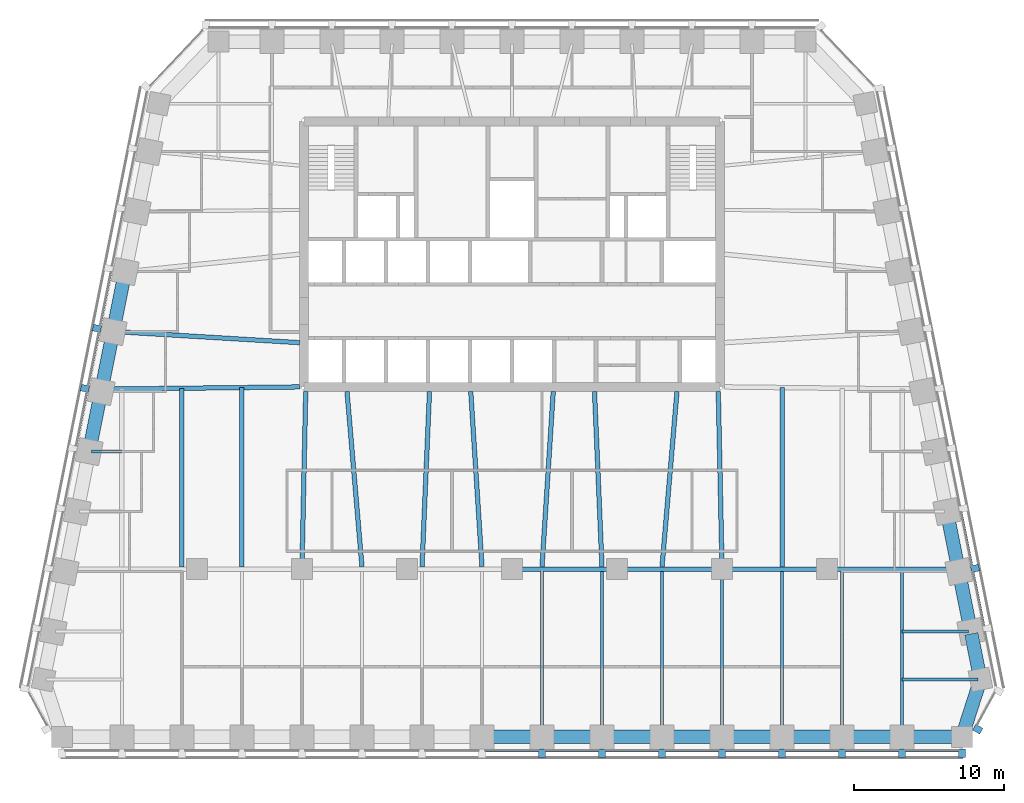
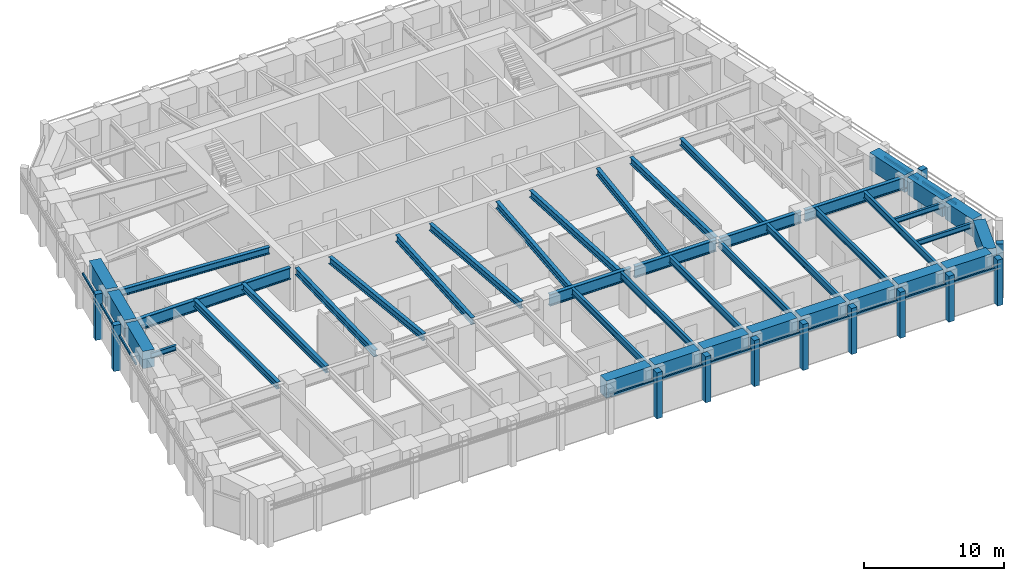
# One storey, part 2 of 11: 42 beams, 25 members, 4 elements without a shape of their own.
"""IFC4 building model written with IfcOpenShell, lengths in metres."""

from ifc_helpers import new_model, si_unit, direction, frame, origin, origin_2d, place, context, subcontext, project, spatial, rectangle, i_section, extrude, material, material_profile, profile_set, type_object, element, aggregate, save


model = new_model("IFC4")

# Units and contexts
model_context = context("Model", 3, precision=1e-05, world=origin(), true_north=direction((0.0, 1.0)))
body_context = subcontext(model_context, "Body", "Model", "MODEL_VIEW")
ifc_project = project(units=[si_unit("LENGTHUNIT", "METRE"), si_unit("AREAUNIT", "SQUARE_METRE"), si_unit("VOLUMEUNIT", "CUBIC_METRE"), si_unit("PLANEANGLEUNIT", "RADIAN"), si_unit("MASSUNIT", "GRAM", prefix="KILO")], contexts=[model_context])

# Site, building, storey
site_placement = place(None, origin())
site = spatial("IfcSite", under=ifc_project, at=site_placement, CompositionType="ELEMENT")
building_placement = place(site_placement, origin())
building = spatial("IfcBuilding", under=site, at=building_placement, Name="Isbrekke Arena Tower", CompositionType="ELEMENT")
storey_placement = place(building_placement, frame((0.0, 0.0, 202.0)))
storey = spatial("IfcBuildingStorey", under=building, at=storey_placement, Name="L46", CompositionType="ELEMENT", Elevation=202.0)

# Beams
ifc_material_1 = material(Name="Steel S355", Category="steel")
ifc_material_profile_1 = material_profile(ifc_material_1, i_section(OverallWidth=0.219970703125, OverallDepth=0.60009765625, WebThickness=0.011962890625, FlangeThickness=0.01904296875, FilletRadius=0.02392578125, at=origin_2d()), Name="IPE 600")
ifc_profile_set_1 = profile_set([ifc_material_profile_1], Name="Steel S355")
beam_type_1 = type_object("IfcBeamType", Name="B1 IPE 600", PredefinedType="BEAM", material=ifc_profile_set_1)
for number, where, z_axis, x_axis, name in (
    (1, (2.0, -17.02490234375, 3.550048828125), (0.0, 1.0, 0.0), (-1.0, 0.0, 0.0), "B1 beam S-S09 L46"),
    (2, (6.0, -17.02490234375, 3.550048828125), (0.0, 1.0, 0.0), (-1.0, 0.0, 0.0), "B1 beam S-S10 L46"),
    (3, (10.0, -17.02490234375, 3.550048828125), (0.0, 1.0, 0.0), (-1.0, 0.0, 0.0), "B1 beam S-S11 L46"),
):
    element("IfcBeam", number, at=place(storey_placement, frame(where, z_axis=z_axis, x_axis=x_axis)), inside=storey, type_object=beam_type_1, Name=name, PredefinedType="BEAM", context=body_context, shape_type="SweptSolid", body=[
        extrude(i_section(OverallWidth=0.219970703125, OverallDepth=0.60009765625, WebThickness=0.011962890625, FlangeThickness=0.01904296875, FilletRadius=0.02392578125, at=origin_2d()), origin(), (0.0, 0.0, 1.0), 10.8740234375),
    ])
beam_1_placement = place(storey_placement, frame((14.0, -17.02490234375, 3.550048828125), z_axis=(0.0, 1.0, 0.0), x_axis=(-1.0, 0.0, 0.0)))
element("IfcBeam", 4, at=beam_1_placement, inside=storey, type_object=beam_type_1, Name="B1 beam S-S12 L46", PredefinedType="BEAM", context=body_context, shape_type="SweptSolid", body=[
    extrude(i_section(OverallWidth=0.219970703125, OverallDepth=0.60009765625, WebThickness=0.011962890625, FlangeThickness=0.01904296875, FilletRadius=0.02392578125, at=origin_2d()), origin(), (0.0, 0.0, 1.0), 10.875),
])
for number, where, z_axis, x_axis, name in (
    (5, (18.0, -17.02490234375, 3.550048828125), (0.0, 1.0, 0.0), (-1.0, 0.0, 0.0), "B1 beam S-S13 L46"),
    (6, (22.0, -17.02490234375, 3.550048828125), (0.0, 1.0, 0.0), (-1.0, 0.0, 0.0), "B1 beam S-S14 L46"),
    (7, (26.0, -17.02490234375, 3.550048828125), (0.0, 1.0, 0.0), (-1.0, 0.0, 0.0), "B1 beam S-S15 L46"),
):
    element("IfcBeam", number, at=place(storey_placement, frame(where, z_axis=z_axis, x_axis=x_axis)), inside=storey, type_object=beam_type_1, Name=name, PredefinedType="BEAM", context=body_context, shape_type="SweptSolid", body=[
        extrude(i_section(OverallWidth=0.219970703125, OverallDepth=0.60009765625, WebThickness=0.011962890625, FlangeThickness=0.01904296875, FilletRadius=0.02392578125, at=origin_2d()), origin(), (0.0, 0.0, 1.0), 10.8740234375),
    ])
ifc_material_2 = material(Name="Steel S355", Category="steel")
ifc_material_profile_2 = material_profile(ifc_material_2, i_section(OverallWidth=0.18994140625, OverallDepth=0.449951171875, WebThickness=0.009521484375, FlangeThickness=0.0146484375, FilletRadius=0.02099609375, at=origin_2d()), Name="IPE 450")
ifc_profile_set_2 = profile_set([ifc_material_profile_2], Name="Steel S355")
beam_type_2 = type_object("IfcBeamType", Name="B2 IPE 450", PredefinedType="BEAM", material=ifc_profile_set_2)
beam_2_placement = place(storey_placement, frame((31.079345703125, -13.352783203125, 3.625), z_axis=(-1.0, 0.0, 0.0), x_axis=(0.0, -1.0, 0.0)))
element("IfcBeam", 8, at=beam_2_placement, inside=storey, type_object=beam_type_2, Name="B2 beam E-E01 L46", PredefinedType="BEAM", context=body_context, shape_type="SweptSolid", body=[
    extrude(i_section(OverallWidth=0.18994140625, OverallDepth=0.449951171875, WebThickness=0.009521484375, FlangeThickness=0.0146484375, FilletRadius=0.02099609375, at=origin_2d()), origin(), (0.0, 0.0, 1.0), 5.079345703125),
])
beam_3_placement = place(storey_placement, frame((30.44091796875, -10.161865234375, 3.625), z_axis=(-1.0, 0.0, 0.0), x_axis=(0.0, -1.0, 0.0)))
element("IfcBeam", 9, at=beam_3_placement, inside=storey, type_object=beam_type_2, Name="B2 beam E-E02 L46", PredefinedType="BEAM", context=body_context, shape_type="SweptSolid", body=[
    extrude(i_section(OverallWidth=0.18994140625, OverallDepth=0.449951171875, WebThickness=0.009521484375, FlangeThickness=0.0146484375, FilletRadius=0.02099609375, at=origin_2d()), origin(), (0.0, 0.0, 1.0), 4.44091796875),
])
beam_4_placement = place(storey_placement, frame((-28.041015625, 1.838134765625, 3.625), z_axis=(1.0, 0.0, 0.0), x_axis=(0.0, 1.0, 0.0)))
element("IfcBeam", 10, at=beam_4_placement, inside=storey, type_object=beam_type_2, Name="B2 beam E-W07 L46", PredefinedType="BEAM", context=body_context, shape_type="SweptSolid", body=[
    extrude(i_section(OverallWidth=0.18994140625, OverallDepth=0.449951171875, WebThickness=0.009521484375, FlangeThickness=0.0146484375, FilletRadius=0.02099609375, at=origin_2d()), origin(), (0.0, 0.0, 1.0), 2.041015625),
])
ifc_material_3 = material(Name="Steel S355", Category="steel")
ifc_material_profile_3 = material_profile(ifc_material_3, i_section(OverallWidth=0.300048828125, OverallDepth=0.60009765625, WebThickness=0.015380859375, FlangeThickness=0.030029296875, FilletRadius=0.027099609375, at=origin_2d()), Name="HEB 600")
ifc_profile_set_3 = profile_set([ifc_material_profile_3], Name="Steel S355")
beam_type_3 = type_object("IfcBeamType", Name="B7 HEB 600", PredefinedType="BEAM", material=ifc_profile_set_3)
beam_5_placement = place(storey_placement, frame((-22.0, -5.84912109375, 3.550048828125), z_axis=(0.0, 1.0, 0.0), x_axis=(-1.0, 0.0, 0.0)))
element("IfcBeam", 11, at=beam_5_placement, inside=storey, type_object=beam_type_3, Name="B7 beam C-M02 L46", PredefinedType="BEAM", context=body_context, shape_type="SweptSolid", body=[
    extrude(i_section(OverallWidth=0.300048828125, OverallDepth=0.60009765625, WebThickness=0.015380859375, FlangeThickness=0.030029296875, FilletRadius=0.027099609375, at=origin_2d()), origin(), (0.0, 0.0, 1.0), 11.91015625),
])
beam_6_placement = place(storey_placement, frame((-18.0, -5.84912109375, 3.550048828125), z_axis=(0.0, 1.0, 0.0), x_axis=(-1.0, 0.0, 0.0)))
element("IfcBeam", 12, at=beam_6_placement, inside=storey, type_object=beam_type_3, Name="B7 beam C-M03 L46", PredefinedType="BEAM", context=body_context, shape_type="SweptSolid", body=[
    extrude(i_section(OverallWidth=0.300048828125, OverallDepth=0.60009765625, WebThickness=0.015380859375, FlangeThickness=0.030029296875, FilletRadius=0.027099609375, at=origin_2d()), origin(), (0.0, 0.0, 1.0), 11.95556640625),
])
beam_7_placement = place(storey_placement, frame((-14.0, -5.8466796875, 3.550048828125), z_axis=(0.021368528218, 0.999771666933, 0.0), x_axis=(-0.999771666933, 0.021368528218, 0.0)))
element("IfcBeam", 13, at=beam_7_placement, inside=storey, type_object=beam_type_3, Name="B7 beam C-M04 L46", PredefinedType="BEAM", context=body_context, shape_type="SweptSolid", body=[
    extrude(i_section(OverallWidth=0.300048828125, OverallDepth=0.60009765625, WebThickness=0.015380859375, FlangeThickness=0.030029296875, FilletRadius=0.027099609375, at=origin_2d()), origin(), (0.0, 0.0, 1.0), 11.699462890625),
])
beam_8_placement = place(storey_placement, frame((-10.0009765625, -5.836181640625, 3.550048828125), z_axis=(-0.085176202372, 0.996365903948, 0.0), x_axis=(-0.996365903948, -0.085176202372, 0.0)))
element("IfcBeam", 14, at=beam_8_placement, inside=storey, type_object=beam_type_3, Name="B7 beam C-M05 L46", PredefinedType="BEAM", context=body_context, shape_type="SweptSolid", body=[
    extrude(i_section(OverallWidth=0.300048828125, OverallDepth=0.60009765625, WebThickness=0.015380859375, FlangeThickness=0.030029296875, FilletRadius=0.027099609375, at=origin_2d()), origin(), (0.0, 0.0, 1.0), 11.72900390625),
])
beam_9_placement = place(storey_placement, frame((-5.999755859375, -5.842529296875, 3.550048828125), z_axis=(0.042702124015, 0.999087848292, 0.0), x_axis=(-0.999087848292, 0.042702124015, 0.0)))
element("IfcBeam", 15, at=beam_9_placement, inside=storey, type_object=beam_type_3, Name="B7 beam C-M06 L46", PredefinedType="BEAM", context=body_context, shape_type="SweptSolid", body=[
    extrude(i_section(OverallWidth=0.300048828125, OverallDepth=0.60009765625, WebThickness=0.015380859375, FlangeThickness=0.030029296875, FilletRadius=0.027099609375, at=origin_2d()), origin(), (0.0, 0.0, 1.0), 11.703369140625),
])
for number, where, z_axis, x_axis, name in (
    (16, (-2.000732421875, -5.83935546875, 3.550048828125), (-0.063966475255, 0.997952047968, 0.0), (-0.997952047968, -0.063966475255, 0.0), "B7 beam C-M07 L46"),
    (17, (2.000732421875, -5.83935546875, 3.550048828125), (0.063966475255, 0.997952047968, 0.0), (-0.997952047968, 0.063966475255, 0.0), "B7 beam C-M08 L46"),
):
    element("IfcBeam", number, at=place(storey_placement, frame(where, z_axis=z_axis, x_axis=x_axis)), inside=storey, type_object=beam_type_3, Name=name, PredefinedType="BEAM", context=body_context, shape_type="SweptSolid", body=[
        extrude(i_section(OverallWidth=0.300048828125, OverallDepth=0.60009765625, WebThickness=0.015380859375, FlangeThickness=0.030029296875, FilletRadius=0.027099609375, at=origin_2d()), origin(), (0.0, 0.0, 1.0), 11.71337890625),
    ])
beam_10_placement = place(storey_placement, frame((5.999755859375, -5.842529296875, 3.550048828125), z_axis=(-0.042702124015, 0.999087848292, 0.0), x_axis=(-0.999087848292, -0.042702124015, 0.0)))
element("IfcBeam", 18, at=beam_10_placement, inside=storey, type_object=beam_type_3, Name="B7 beam C-M09 L46", PredefinedType="BEAM", context=body_context, shape_type="SweptSolid", body=[
    extrude(i_section(OverallWidth=0.300048828125, OverallDepth=0.60009765625, WebThickness=0.015380859375, FlangeThickness=0.030029296875, FilletRadius=0.027099609375, at=origin_2d()), origin(), (0.0, 0.0, 1.0), 11.703369140625),
])
beam_11_placement = place(storey_placement, frame((10.0009765625, -5.836181640625, 3.550048828125), z_axis=(0.085176202372, 0.996365903948, 0.0), x_axis=(-0.996365903948, 0.085176202372, 0.0)))
element("IfcBeam", 19, at=beam_11_placement, inside=storey, type_object=beam_type_3, Name="B7 beam C-M10 L46", PredefinedType="BEAM", context=body_context, shape_type="SweptSolid", body=[
    extrude(i_section(OverallWidth=0.300048828125, OverallDepth=0.60009765625, WebThickness=0.015380859375, FlangeThickness=0.030029296875, FilletRadius=0.027099609375, at=origin_2d()), origin(), (0.0, 0.0, 1.0), 11.72900390625),
])
beam_12_placement = place(storey_placement, frame((14.0, -5.8466796875, 3.550048828125), z_axis=(-0.021368528218, 0.999771666933, 0.0), x_axis=(-0.999771666933, -0.021368528218, 0.0)))
element("IfcBeam", 20, at=beam_12_placement, inside=storey, type_object=beam_type_3, Name="B7 beam C-M11 L46", PredefinedType="BEAM", context=body_context, shape_type="SweptSolid", body=[
    extrude(i_section(OverallWidth=0.300048828125, OverallDepth=0.60009765625, WebThickness=0.015380859375, FlangeThickness=0.030029296875, FilletRadius=0.027099609375, at=origin_2d()), origin(), (0.0, 0.0, 1.0), 11.699462890625),
])
beam_13_placement = place(storey_placement, frame((18.0, -5.84912109375, 3.550048828125), z_axis=(0.0, 1.0, 0.0), x_axis=(-1.0, 0.0, 0.0)))
element("IfcBeam", 21, at=beam_13_placement, inside=storey, type_object=beam_type_3, Name="B7 beam C-M12 L46", PredefinedType="BEAM", context=body_context, shape_type="SweptSolid", body=[
    extrude(i_section(OverallWidth=0.300048828125, OverallDepth=0.60009765625, WebThickness=0.015380859375, FlangeThickness=0.030029296875, FilletRadius=0.027099609375, at=origin_2d()), origin(), (0.0, 0.0, 1.0), 11.95556640625),
])
beam_14_placement = place(storey_placement, frame((-26.43212890625, 9.837646484375, 3.550048828125), z_axis=(0.998201854902, -0.059942112659, 0.0), x_axis=(0.059942112659, 0.998201854902, 0.0)))
element("IfcBeam", 22, at=beam_14_placement, inside=storey, type_object=beam_type_3, Name="B7 beam E-W05 L46", PredefinedType="BEAM", context=body_context, shape_type="SweptSolid", body=[
    extrude(i_section(OverallWidth=0.300048828125, OverallDepth=0.60009765625, WebThickness=0.015380859375, FlangeThickness=0.030029296875, FilletRadius=0.027099609375, at=origin_2d()), origin(), (0.0, 0.0, 1.0), 12.304443359375),
])

# Curtain wall, members
ifc_material_4 = material(Name="Glazed aluminium curtain wall", Category="aluminium")
curtain_wall_type = type_object("IfcCurtainWallType", Name="CWH TOWER CURTAIN WALL HIGH ZONE", PredefinedType="USERDEFINED", material=ifc_material_4)
curtain_wall_1_placement = place(storey_placement, origin())
curtain_wall_1 = element("IfcCurtainWall", 23, at=curtain_wall_1_placement, inside=storey, type_object=curtain_wall_type, Name="CWH curtain wall L46-S", ObjectType="TOWER CURTAIN WALL HIGH ZONE", PredefinedType="USERDEFINED")
ifc_material_5 = material(Name="Aluminium mullion, pale brick slip cladding", Category="masonry")
ifc_material_profile_4 = material_profile(ifc_material_5, rectangle(XDim=0.449951171875, YDim=0.550048828125, at=origin_2d()), Name="PIER 450X550")
ifc_profile_set_4 = profile_set([ifc_material_profile_4], Name="Aluminium mullion, pale brick slip cladding")
member_type_1 = type_object("IfcMemberType", Name="CWH-M PIER MULLION 450 x 550", PredefinedType="MULLION", material=ifc_profile_set_4)
member_1_placement = place(storey_placement, frame((2.0, -18.27490234375, 0.0), z_axis=(0.0, 0.0, 1.0), x_axis=(1.0, 0.0, 0.0)))
member_1 = element("IfcMember", 24, at=member_1_placement, type_object=member_type_1, Name="CWH-M mullion 9", PredefinedType="MULLION", context=body_context, shape_type="SweptSolid", body=[
    extrude(rectangle(XDim=0.449951171875, YDim=0.550048828125, at=origin_2d()), origin(), (0.0, 0.0, 1.0), 4.0),
])
member_2_placement = place(storey_placement, frame((6.0, -18.27490234375, 0.0), z_axis=(0.0, 0.0, 1.0), x_axis=(1.0, 0.0, 0.0)))
member_2 = element("IfcMember", 25, at=member_2_placement, type_object=member_type_1, Name="CWH-M mullion 10", PredefinedType="MULLION", context=body_context, shape_type="SweptSolid", body=[
    extrude(rectangle(XDim=0.449951171875, YDim=0.550048828125, at=origin_2d()), origin(), (0.0, 0.0, 1.0), 4.0),
])
member_3_placement = place(storey_placement, frame((10.0, -18.27490234375, 0.0), z_axis=(0.0, 0.0, 1.0), x_axis=(1.0, 0.0, 0.0)))
member_3 = element("IfcMember", 26, at=member_3_placement, type_object=member_type_1, Name="CWH-M mullion 11", PredefinedType="MULLION", context=body_context, shape_type="SweptSolid", body=[
    extrude(rectangle(XDim=0.449951171875, YDim=0.550048828125, at=origin_2d()), origin(), (0.0, 0.0, 1.0), 4.0),
])
member_4_placement = place(storey_placement, frame((14.0, -18.27490234375, 0.0), z_axis=(0.0, 0.0, 1.0), x_axis=(1.0, 0.0, 0.0)))
member_4 = element("IfcMember", 27, at=member_4_placement, type_object=member_type_1, Name="CWH-M mullion 12", PredefinedType="MULLION", context=body_context, shape_type="SweptSolid", body=[
    extrude(rectangle(XDim=0.449951171875, YDim=0.550048828125, at=origin_2d()), origin(), (0.0, 0.0, 1.0), 4.0),
])
member_5_placement = place(storey_placement, frame((18.0, -18.27490234375, 0.0), z_axis=(0.0, 0.0, 1.0), x_axis=(1.0, 0.0, 0.0)))
member_5 = element("IfcMember", 28, at=member_5_placement, type_object=member_type_1, Name="CWH-M mullion 13", PredefinedType="MULLION", context=body_context, shape_type="SweptSolid", body=[
    extrude(rectangle(XDim=0.449951171875, YDim=0.550048828125, at=origin_2d()), origin(), (0.0, 0.0, 1.0), 4.0),
])
member_6_placement = place(storey_placement, frame((22.0, -18.27490234375, 0.0), z_axis=(0.0, 0.0, 1.0), x_axis=(1.0, 0.0, 0.0)))
member_6 = element("IfcMember", 29, at=member_6_placement, type_object=member_type_1, Name="CWH-M mullion 14", PredefinedType="MULLION", context=body_context, shape_type="SweptSolid", body=[
    extrude(rectangle(XDim=0.449951171875, YDim=0.550048828125, at=origin_2d()), origin(), (0.0, 0.0, 1.0), 4.0),
])
member_7_placement = place(storey_placement, frame((26.0, -18.27490234375, 0.0), z_axis=(0.0, 0.0, 1.0), x_axis=(1.0, 0.0, 0.0)))
member_7 = element("IfcMember", 30, at=member_7_placement, type_object=member_type_1, Name="CWH-M mullion 15", PredefinedType="MULLION", context=body_context, shape_type="SweptSolid", body=[
    extrude(rectangle(XDim=0.449951171875, YDim=0.550048828125, at=origin_2d()), origin(), (0.0, 0.0, 1.0), 4.0),
])
member_8_placement = place(storey_placement, frame((30.0, -18.27490234375, 0.0), z_axis=(0.0, 0.0, 1.0), x_axis=(1.0, 0.0, 0.0)))
member_8 = element("IfcMember", 31, at=member_8_placement, type_object=member_type_1, Name="CWH-M mullion 16", PredefinedType="MULLION", context=body_context, shape_type="SweptSolid", body=[
    extrude(rectangle(XDim=0.449951171875, YDim=0.550048828125, at=origin_2d()), origin(), (0.0, 0.0, 1.0), 4.0),
])

# Curtain wall, member
curtain_wall_2_placement = place(storey_placement, origin())
curtain_wall_2 = element("IfcCurtainWall", 32, at=curtain_wall_2_placement, inside=storey, type_object=curtain_wall_type, Name="CWH curtain wall L46-SE", ObjectType="TOWER CURTAIN WALL HIGH ZONE", PredefinedType="USERDEFINED")
member_9_placement = place(storey_placement, frame((31.047119140625, -16.666748046875, 0.0), z_axis=(0.0, 0.0, 1.0), x_axis=(0.481918749773, 0.876215908676, 0.0)))
member_9 = element("IfcMember", 33, at=member_9_placement, type_object=member_type_1, Name="CWH-M mullion 1", PredefinedType="MULLION", context=body_context, shape_type="SweptSolid", body=[
    extrude(rectangle(XDim=0.449951171875, YDim=0.550048828125, at=origin_2d()), origin(), (0.0, 0.0, 1.0), 4.0),
])
aggregate(curtain_wall_2, [member_9])

curtain_wall_3_placement = place(storey_placement, origin())
curtain_wall_3 = element("IfcCurtainWall", 34, at=curtain_wall_3_placement, inside=storey, type_object=curtain_wall_type, Name="CWH curtain wall L46-E", ObjectType="TOWER CURTAIN WALL HIGH ZONE", PredefinedType="USERDEFINED")
member_10_placement = place(storey_placement, frame((30.86962890625, -5.946044921875, 0.0), z_axis=(0.0, 0.0, 1.0), x_axis=(-0.196116135138, 0.980580675691, 0.0)))
member_10 = element("IfcMember", 35, at=member_10_placement, type_object=member_type_1, Name="CWH-M mullion 2", PredefinedType="MULLION", context=body_context, shape_type="SweptSolid", body=[
    extrude(rectangle(XDim=0.449951171875, YDim=0.550048828125, at=origin_2d()), origin(), (0.0, 0.0, 1.0), 4.0),
])

# Curtain wall, members
curtain_wall_4_placement = place(storey_placement, origin())
curtain_wall_4 = element("IfcCurtainWall", 36, at=curtain_wall_4_placement, inside=storey, type_object=curtain_wall_type, Name="CWH curtain wall L46-W", ObjectType="TOWER CURTAIN WALL HIGH ZONE", PredefinedType="USERDEFINED")
member_11_placement = place(storey_placement, frame((-27.669677734375, 10.053955078125, 0.0), z_axis=(0.0, 0.0, 1.0), x_axis=(-0.196116135138, -0.980580675691, 0.0)))
member_11 = element("IfcMember", 37, at=member_11_placement, type_object=member_type_1, Name="CWH-M mullion 4", PredefinedType="MULLION", context=body_context, shape_type="SweptSolid", body=[
    extrude(rectangle(XDim=0.449951171875, YDim=0.550048828125, at=origin_2d()), origin(), (0.0, 0.0, 1.0), 4.0),
])
member_12_placement = place(storey_placement, frame((-28.4697265625, 6.053955078125, 0.0), z_axis=(0.0, 0.0, 1.0), x_axis=(-0.196116135138, -0.980580675691, 0.0)))
member_12 = element("IfcMember", 38, at=member_12_placement, type_object=member_type_1, Name="CWH-M mullion 5", PredefinedType="MULLION", context=body_context, shape_type="SweptSolid", body=[
    extrude(rectangle(XDim=0.449951171875, YDim=0.550048828125, at=origin_2d()), origin(), (0.0, 0.0, 1.0), 4.0),
])

# Member
ifc_material_6 = material(Name="Aluminium transom", Category="aluminium")
ifc_material_profile_5 = material_profile(ifc_material_6, rectangle(XDim=0.1201171875, YDim=0.199951171875, at=origin_2d()), Name="TRANSOM 120X200")
ifc_profile_set_5 = profile_set([ifc_material_profile_5], Name="Aluminium transom")
member_type_2 = type_object("IfcMemberType", Name="CWH-T TRANSOM 120 x 200", PredefinedType="USERDEFINED", material=ifc_profile_set_5)
member_13_placement = place(storey_placement, frame((-1.77490234375, -18.10009765625, 3.0), z_axis=(1.0, 0.0, 0.0), x_axis=(0.0, 1.0, 0.0)))
member_13 = element("IfcMember", 39, at=member_13_placement, type_object=member_type_2, Name="CWH-T transom 8", ObjectType="TRANSOM", PredefinedType="USERDEFINED", context=body_context, shape_type="SweptSolid", body=[
    extrude(rectangle(XDim=0.1201171875, YDim=0.199951171875, at=origin_2d()), origin(), (0.0, 0.0, 1.0), 3.5498046875),
])

member_14_placement = place(storey_placement, frame((2.22509765625, -18.10009765625, 3.0), z_axis=(1.0, 0.0, 0.0), x_axis=(0.0, 1.0, 0.0)))
member_14 = element("IfcMember", 40, at=member_14_placement, type_object=member_type_2, Name="CWH-T transom 9", ObjectType="TRANSOM", PredefinedType="USERDEFINED", context=body_context, shape_type="SweptSolid", body=[
    extrude(rectangle(XDim=0.1201171875, YDim=0.199951171875, at=origin_2d()), origin(), (0.0, 0.0, 1.0), 3.5498046875),
])

member_15_placement = place(storey_placement, frame((6.22509765625, -18.10009765625, 3.0), z_axis=(1.0, 0.0, 0.0), x_axis=(0.0, 1.0, 0.0)))
member_15 = element("IfcMember", 41, at=member_15_placement, type_object=member_type_2, Name="CWH-T transom 10", ObjectType="TRANSOM", PredefinedType="USERDEFINED", context=body_context, shape_type="SweptSolid", body=[
    extrude(rectangle(XDim=0.1201171875, YDim=0.199951171875, at=origin_2d()), origin(), (0.0, 0.0, 1.0), 3.5498046875),
])

member_16_placement = place(storey_placement, frame((10.22509765625, -18.10009765625, 3.0), z_axis=(1.0, 0.0, 0.0), x_axis=(0.0, 1.0, 0.0)))
member_16 = element("IfcMember", 42, at=member_16_placement, type_object=member_type_2, Name="CWH-T transom 11", ObjectType="TRANSOM", PredefinedType="USERDEFINED", context=body_context, shape_type="SweptSolid", body=[
    extrude(rectangle(XDim=0.1201171875, YDim=0.199951171875, at=origin_2d()), origin(), (0.0, 0.0, 1.0), 3.5498046875),
])

member_17_placement = place(storey_placement, frame((14.22509765625, -18.10009765625, 3.0), z_axis=(1.0, 0.0, 0.0), x_axis=(0.0, 1.0, 0.0)))
member_17 = element("IfcMember", 43, at=member_17_placement, type_object=member_type_2, Name="CWH-T transom 12", ObjectType="TRANSOM", PredefinedType="USERDEFINED", context=body_context, shape_type="SweptSolid", body=[
    extrude(rectangle(XDim=0.1201171875, YDim=0.199951171875, at=origin_2d()), origin(), (0.0, 0.0, 1.0), 3.5498046875),
])

member_18_placement = place(storey_placement, frame((18.22509765625, -18.10009765625, 3.0), z_axis=(1.0, 0.0, 0.0), x_axis=(0.0, 1.0, 0.0)))
member_18 = element("IfcMember", 44, at=member_18_placement, type_object=member_type_2, Name="CWH-T transom 13", ObjectType="TRANSOM", PredefinedType="USERDEFINED", context=body_context, shape_type="SweptSolid", body=[
    extrude(rectangle(XDim=0.1201171875, YDim=0.199951171875, at=origin_2d()), origin(), (0.0, 0.0, 1.0), 3.5498046875),
])

member_19_placement = place(storey_placement, frame((22.22509765625, -18.10009765625, 3.0), z_axis=(1.0, 0.0, 0.0), x_axis=(0.0, 1.0, 0.0)))
member_19 = element("IfcMember", 45, at=member_19_placement, type_object=member_type_2, Name="CWH-T transom 14", ObjectType="TRANSOM", PredefinedType="USERDEFINED", context=body_context, shape_type="SweptSolid", body=[
    extrude(rectangle(XDim=0.1201171875, YDim=0.199951171875, at=origin_2d()), origin(), (0.0, 0.0, 1.0), 3.5498046875),
])

member_20_placement = place(storey_placement, frame((26.22509765625, -18.10009765625, 3.0), z_axis=(1.0, 0.0, 0.0), x_axis=(0.0, 1.0, 0.0)))
member_20 = element("IfcMember", 46, at=member_20_placement, type_object=member_type_2, Name="CWH-T transom 15", ObjectType="TRANSOM", PredefinedType="USERDEFINED", context=body_context, shape_type="SweptSolid", body=[
    extrude(rectangle(XDim=0.1201171875, YDim=0.199951171875, at=origin_2d()), origin(), (0.0, 0.0, 1.0), 3.5498046875),
])

aggregate(curtain_wall_1, [member_1, member_2, member_3, member_4, member_5, member_6, member_7, member_8, member_13, member_14, member_15, member_16, member_17, member_18, member_19, member_20])

member_21_placement = place(storey_placement, frame((31.453857421875, -9.759765625, 3.0), z_axis=(-0.196090262229, 0.980585849918, 0.0), x_axis=(-0.980585849918, -0.196090262229, 0.0)))
member_21 = element("IfcMember", 47, at=member_21_placement, type_object=member_type_2, Name="CWH-T transom 2", ObjectType="TRANSOM", PredefinedType="USERDEFINED", context=body_context, shape_type="SweptSolid", body=[
    extrude(rectangle(XDim=0.1201171875, YDim=0.199951171875, at=origin_2d()), origin(), (0.0, 0.0, 1.0), 3.62939453125),
])

member_22_placement = place(storey_placement, frame((30.654052734375, -5.759765625, 3.0), z_axis=(-0.196154943734, 0.980572913173, 0.0), x_axis=(-0.980572913173, -0.196154943734, 0.0)))
member_22 = element("IfcMember", 48, at=member_22_placement, type_object=member_type_2, Name="CWH-T transom 3", ObjectType="TRANSOM", PredefinedType="USERDEFINED", context=body_context, shape_type="SweptSolid", body=[
    extrude(rectangle(XDim=0.1201171875, YDim=0.199951171875, at=origin_2d()), origin(), (0.0, 0.0, 1.0), 3.62939453125),
])

aggregate(curtain_wall_3, [member_10, member_21, member_22])

member_23_placement = place(storey_placement, frame((-26.7421875, 13.799072265625, 3.0), z_axis=(-0.196090262229, -0.980585849918, 0.0), x_axis=(0.980585849918, -0.196090262229, 0.0)))
member_23 = element("IfcMember", 49, at=member_23_placement, type_object=member_type_2, Name="CWH-T transom 4", ObjectType="TRANSOM", PredefinedType="USERDEFINED", context=body_context, shape_type="SweptSolid", body=[
    extrude(rectangle(XDim=0.1201171875, YDim=0.199951171875, at=origin_2d()), origin(), (0.0, 0.0, 1.0), 3.62939453125),
])

member_24_placement = place(storey_placement, frame((-27.542236328125, 9.799072265625, 3.0), z_axis=(-0.196090262229, -0.980585849918, 0.0), x_axis=(0.980585849918, -0.196090262229, 0.0)))
member_24 = element("IfcMember", 50, at=member_24_placement, type_object=member_type_2, Name="CWH-T transom 5", ObjectType="TRANSOM", PredefinedType="USERDEFINED", context=body_context, shape_type="SweptSolid", body=[
    extrude(rectangle(XDim=0.1201171875, YDim=0.199951171875, at=origin_2d()), origin(), (0.0, 0.0, 1.0), 3.62939453125),
])

member_25_placement = place(storey_placement, frame((-28.34228515625, 5.799072265625, 3.0), z_axis=(-0.196090262229, -0.980585849918, 0.0), x_axis=(0.980585849918, -0.196090262229, 0.0)))
member_25 = element("IfcMember", 51, at=member_25_placement, type_object=member_type_2, Name="CWH-T transom 6", ObjectType="TRANSOM", PredefinedType="USERDEFINED", context=body_context, shape_type="SweptSolid", body=[
    extrude(rectangle(XDim=0.1201171875, YDim=0.199951171875, at=origin_2d()), origin(), (0.0, 0.0, 1.0), 3.62939453125),
])

aggregate(curtain_wall_4, [member_11, member_12, member_23, member_24, member_25])

# Beams
ifc_material_7 = material(Name="Steel S355", Category="steel")
ifc_material_profile_6 = material_profile(ifc_material_7, i_section(OverallWidth=0.302001953125, OverallDepth=1.008056640625, WebThickness=0.02099609375, FlangeThickness=0.0400390625, FilletRadius=0.030029296875, at=origin_2d()), Name="HEM 1000")
ifc_profile_set_6 = profile_set([ifc_material_profile_6], Name="Steel S355")
beam_type_4 = type_object("IfcBeamType", Name="G1 HEM 1000", PredefinedType="BEAM", material=ifc_profile_set_6)
for number, where, z_axis, x_axis, name in (
    (52, (0.14990234375, -6.0, 3.345947265625), (1.0, 0.0, 0.0), (0.0, 1.0, 0.0), "G1 beam G1-05 L46"),
    (53, (7.14990234375, -6.0, 3.345947265625), (1.0, 0.0, 0.0), (0.0, 1.0, 0.0), "G1 beam G1-06 L46"),
    (54, (14.14990234375, -6.0, 3.345947265625), (1.0, 0.0, 0.0), (0.0, 1.0, 0.0), "G1 beam G1-07 L46"),
):
    element("IfcBeam", number, at=place(storey_placement, frame(where, z_axis=z_axis, x_axis=x_axis)), inside=storey, type_object=beam_type_4, Name=name, PredefinedType="BEAM", context=body_context, shape_type="SweptSolid", body=[
        extrude(i_section(OverallWidth=0.302001953125, OverallDepth=1.008056640625, WebThickness=0.02099609375, FlangeThickness=0.0400390625, FilletRadius=0.030029296875, at=origin_2d()), origin(), (0.0, 0.0, 1.0), 6.7001953125),
    ])
beam_15_placement = place(storey_placement, frame((21.14990234375, -6.0, 3.345947265625), z_axis=(1.0, 0.0, 0.0), x_axis=(0.0, 1.0, 0.0)))
element("IfcBeam", 55, at=beam_15_placement, inside=storey, type_object=beam_type_4, Name="G1 beam G1-08 L46", PredefinedType="BEAM", context=body_context, shape_type="SweptSolid", body=[
    extrude(i_section(OverallWidth=0.302001953125, OverallDepth=1.008056640625, WebThickness=0.02099609375, FlangeThickness=0.0400390625, FilletRadius=0.030029296875, at=origin_2d()), origin(), (0.0, 0.0, 1.0), 8.64111328125),
])
ifc_material_8 = material(Name="Steel S355", Category="steel")
ifc_material_profile_7 = material_profile(ifc_material_8, i_section(OverallWidth=0.302001953125, OverallDepth=1.008056640625, WebThickness=0.02099609375, FlangeThickness=0.0400390625, FilletRadius=0.030029296875, at=origin_2d()), Name="HEM 1000")
ifc_profile_set_7 = profile_set([ifc_material_profile_7], Name="Steel S355")
beam_type_5 = type_object("IfcBeamType", Name="G2 HEM 1000", PredefinedType="BEAM", material=ifc_profile_set_7)
beam_16_placement = place(storey_placement, frame((-14.14990234375, 6.14990234375, 3.345947265625), z_axis=(-0.999935908299, -0.011321629528, 0.0), x_axis=(0.011321629528, -0.999935908299, 0.0)))
element("IfcBeam", 56, at=beam_16_placement, inside=storey, type_object=beam_type_5, Name="G2 beam G2-W L46", PredefinedType="BEAM", context=body_context, shape_type="SweptSolid", body=[
    extrude(i_section(OverallWidth=0.302001953125, OverallDepth=1.008056640625, WebThickness=0.02099609375, FlangeThickness=0.0400390625, FilletRadius=0.030029296875, at=origin_2d()), origin(), (0.0, 0.0, 1.0), 13.240234375),
])
ifc_material_9 = material(Name="Concrete B65 (C65/80)", Category="concrete")
ifc_material_profile_8 = material_profile(ifc_material_9, rectangle(XDim=0.89990234375, YDim=1.5, at=origin_2d()), Name="RC 900x1500")
ifc_profile_set_8 = profile_set([ifc_material_profile_8], Name="Concrete B65 (C65/80)")
beam_type_6 = type_object("IfcBeamType", Name="SB3 RC 900 x 1500", PredefinedType="SPANDREL", material=ifc_profile_set_8)
for number, where, z_axis, x_axis, name in (
    (57, (-1.85009765625, -17.175048828125, 3.25), (1.0, 0.0, 0.0), (0.0, 1.0, 0.0), "SB3 spandrel S08-S09 L46"),
    (58, (2.14990234375, -17.175048828125, 3.25), (1.0, 0.0, 0.0), (0.0, 1.0, 0.0), "SB3 spandrel S09-S10 L46"),
    (59, (6.14990234375, -17.175048828125, 3.25), (1.0, 0.0, 0.0), (0.0, 1.0, 0.0), "SB3 spandrel S10-S11 L46"),
    (60, (10.14990234375, -17.175048828125, 3.25), (1.0, 0.0, 0.0), (0.0, 1.0, 0.0), "SB3 spandrel S11-S12 L46"),
    (61, (14.14990234375, -17.175048828125, 3.25), (1.0, 0.0, 0.0), (0.0, 1.0, 0.0), "SB3 spandrel S12-S13 L46"),
    (62, (18.14990234375, -17.175048828125, 3.25), (1.0, 0.0, 0.0), (0.0, 1.0, 0.0), "SB3 spandrel S13-S14 L46"),
    (63, (22.14990234375, -17.175048828125, 3.25), (1.0, 0.0, 0.0), (0.0, 1.0, 0.0), "SB3 spandrel S14-S15 L46"),
    (64, (26.14990234375, -17.175048828125, 3.25), (1.0, 0.0, 0.0), (0.0, 1.0, 0.0), "SB3 spandrel S15-S16 L46"),
):
    element("IfcBeam", number, at=place(storey_placement, frame(where, z_axis=z_axis, x_axis=x_axis)), inside=storey, type_object=beam_type_6, Name=name, PredefinedType="SPANDREL", context=body_context, shape_type="SweptSolid", body=[
        extrude(rectangle(XDim=0.89990234375, YDim=1.5, at=origin_2d()), origin(), (0.0, 0.0, 1.0), 3.7001953125),
    ])
beam_17_placement = place(storey_placement, frame((30.0458984375, -17.0322265625, 3.25), z_axis=(0.306175101476, 0.951975213562, 0.0), x_axis=(-0.951975213562, 0.306175101476, 0.0)))
element("IfcBeam", 65, at=beam_17_placement, inside=storey, type_object=beam_type_6, Name="SB3 spandrel S16-E01 L46", PredefinedType="SPANDREL", context=body_context, shape_type="SweptSolid", body=[
    extrude(rectangle(XDim=0.89990234375, YDim=1.5, at=origin_2d()), origin(), (0.0, 0.0, 1.0), 3.715087890625),
])
beam_18_placement = place(storey_placement, frame((31.19970703125, -13.205810546875, 3.25), z_axis=(-0.196100243168, 0.980583853951, 0.0), x_axis=(-0.980583853951, -0.196100243168, 0.0)))
element("IfcBeam", 66, at=beam_18_placement, inside=storey, type_object=beam_type_6, Name="SB3 spandrel E01-E02 L46", PredefinedType="SPANDREL", context=body_context, shape_type="SweptSolid", body=[
    extrude(rectangle(XDim=0.89990234375, YDim=1.5, at=origin_2d()), origin(), (0.0, 0.0, 1.0), 2.954345703125),
])
beam_19_placement = place(storey_placement, frame((30.5615234375, -10.0146484375, 3.25), z_axis=(-0.1960664412, 0.980590613169, 0.0), x_axis=(-0.980590613169, -0.1960664412, 0.0)))
element("IfcBeam", 67, at=beam_19_placement, inside=storey, type_object=beam_type_6, Name="SB3 spandrel E02-E03 L46", PredefinedType="SPANDREL", context=body_context, shape_type="SweptSolid", body=[
    extrude(rectangle(XDim=0.89990234375, YDim=1.5, at=origin_2d()), origin(), (0.0, 0.0, 1.0), 3.779052734375),
])
beam_20_placement = place(storey_placement, frame((29.76171875, -6.0146484375, 3.25), z_axis=(-0.196128558387, 0.980578190959, 0.0), x_axis=(-0.980578190959, -0.196128558387, 0.0)))
element("IfcBeam", 68, at=beam_20_placement, inside=storey, type_object=beam_type_6, Name="SB3 spandrel E03-E04 L46", PredefinedType="SPANDREL", context=body_context, shape_type="SweptSolid", body=[
    extrude(rectangle(XDim=0.89990234375, YDim=1.5, at=origin_2d()), origin(), (0.0, 0.0, 1.0), 3.779296875),
])
beam_21_placement = place(storey_placement, frame((-25.820556640625, 13.691162109375, 3.25), z_axis=(-0.1960664412, -0.980590613169, 0.0), x_axis=(0.980590613169, -0.1960664412, 0.0)))
element("IfcBeam", 69, at=beam_21_placement, inside=storey, type_object=beam_type_6, Name="SB3 spandrel W04-W05 L46", PredefinedType="SPANDREL", context=body_context, shape_type="SweptSolid", body=[
    extrude(rectangle(XDim=0.89990234375, YDim=1.5, at=origin_2d()), origin(), (0.0, 0.0, 1.0), 3.779052734375),
])
for number, where, z_axis, x_axis, name in (
    (70, (-26.620361328125, 9.691162109375, 3.25), (-0.196128558387, -0.980578190959, 0.0), (0.980578190959, -0.196128558387, 0.0), "SB3 spandrel W05-W06 L46"),
    (71, (-27.42041015625, 5.691162109375, 3.25), (-0.196128558387, -0.980578190959, 0.0), (0.980578190959, -0.196128558387, 0.0), "SB3 spandrel W06-W07 L46"),
):
    element("IfcBeam", number, at=place(storey_placement, frame(where, z_axis=z_axis, x_axis=x_axis)), inside=storey, type_object=beam_type_6, Name=name, PredefinedType="SPANDREL", context=body_context, shape_type="SweptSolid", body=[
        extrude(rectangle(XDim=0.89990234375, YDim=1.5, at=origin_2d()), origin(), (0.0, 0.0, 1.0), 3.779296875),
    ])

save(model, "model.ifc")
